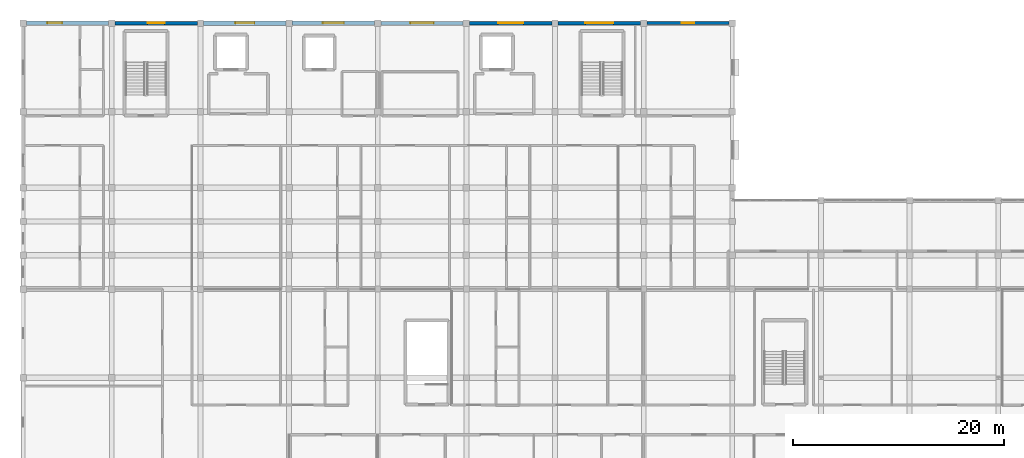
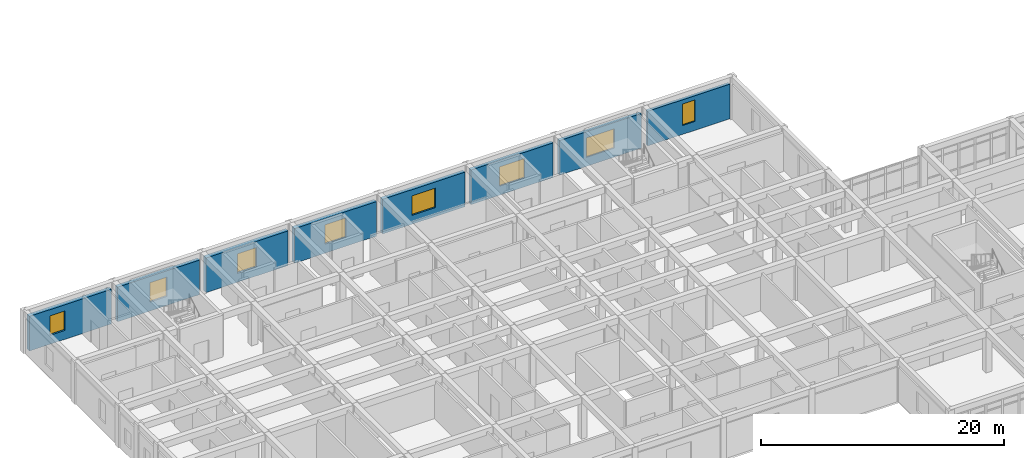
# One storey, part 61 of 77: 8 walls, 8 windows, 8 openings.
"""IFC4 building model written with IfcOpenShell, lengths in metres."""

from ifc_helpers import new_model, si_unit, direction, frame, frame_2d, origin, place, context, subcontext, project, spatial, rectangle, extrude, material, layer, layer_set, type_object, element, fill, save


model = new_model("IFC4")

# Units and contexts
model_context = context("Model", 3, precision=1e-05, world=origin(), true_north=direction((0.0, 1.0)))
body_context = subcontext(model_context, "Body", "Model", "MODEL_VIEW")
ifc_project = project(units=[si_unit("LENGTHUNIT", "METRE"), si_unit("AREAUNIT", "SQUARE_METRE"), si_unit("VOLUMEUNIT", "CUBIC_METRE"), si_unit("PLANEANGLEUNIT", "RADIAN"), si_unit("MASSUNIT", "GRAM", prefix="KILO")], contexts=[model_context])

# Site, building, storey
site_placement = place(None, origin())
site = spatial("IfcSite", under=ifc_project, at=site_placement, CompositionType="ELEMENT")
building_placement = place(site_placement, origin())
building = spatial("IfcBuilding", under=site, at=building_placement, Name="Varncliffe General Hospital", CompositionType="ELEMENT")
storey_placement = place(building_placement, frame((0.0, 0.0, 16.199951171875)))
storey = spatial("IfcBuildingStorey", under=building, at=storey_placement, Name="L03", CompositionType="ELEMENT", Elevation=16.199951171875)

# Wall, opening, window
ifc_material_1 = material(Name="Precast concrete C40/50 with insulated cream lime-cement stucco", Category="concrete")
ifc_layer_1 = layer(ifc_material_1, 0.31005859375)
ifc_layer_set_1 = layer_set([ifc_layer_1], Name="Precast concrete C40/50 with insulated cream lime-cement stucco")
wall_type_1 = type_object("IfcWallType", Name="Exterior Insulated Stucco Wall EW20 (310mm)", PredefinedType="SOLIDWALL", material=ifc_layer_set_1)
wall_1_placement = place(storey_placement, frame((50.697998046875, 124.800048828125, 0.0), z_axis=(0.0, 0.0, 1.0), x_axis=(1.0, 0.0, 0.0)))
wall_1 = element("IfcWall", 1, at=wall_1_placement, inside=storey, type_object=wall_type_1, Name="L03 Exterior Stucco Wall EW20-242", PredefinedType="SOLIDWALL", context=body_context, shape_type="SweptSolid", body=[
    extrude(rectangle(XDim=7.803955078125, YDim=0.31005859375, at=frame_2d((3.90185546875, 0.0))), origin(), (0.0, 0.0, 1.0), 3.47998046875),
])
opening_1_placement = place(wall_1_placement, frame((2.576904296875, 0.0, 0.89990234375)))
opening_1 = element("IfcOpeningElement", 2, at=opening_1_placement, cuts=wall_1, Name="Opening WN30", PredefinedType="OPENING", context=body_context, shape_type="SweptSolid", body=[
    extrude(rectangle(XDim=2.64990234375, YDim=1.949951171875, at=frame_2d((1.324951171875, 0.97509765625))), frame((0.0, 0.1650390625, 0.0), z_axis=(0.0, -1.0, 0.0), x_axis=(1.0, 0.0, 0.0)), (0.0, 0.0, 1.0), 0.330078125),
])
ifc_material_2 = material(Name="Triple low-E argon insulated vision glazing", Category="glass")
window_type_1 = type_object("IfcWindowType", Name="Triple-Glazed Hospital Window WN30 (2650x1950)", PartitioningType="DOUBLE_PANEL_VERTICAL", PredefinedType="WINDOW", material=ifc_material_2)
window_1_placement = place(opening_1_placement, origin())
window_1 = element("IfcWindow", 3, at=window_1_placement, inside=storey, type_object=window_type_1, Name="L03 Hospital Window WN30-164", OverallHeight=1.949951171875, OverallWidth=2.64990234375, PartitioningType="DOUBLE_PANEL_VERTICAL", PredefinedType="WINDOW", context=body_context, shape_type="SweptSolid", body=[
    extrude(rectangle(XDim=2.64990234375, YDim=1.949951171875, at=frame_2d((1.324951171875, 0.97509765625))), frame((0.0, 0.030029296875, 0.0), z_axis=(0.0, -1.0, 0.0), x_axis=(1.0, 0.0, 0.0)), (0.0, 0.0, 1.0), 0.06005859375),
])
fill(opening_1, window_1)

ifc_layer_2 = layer(ifc_material_1, 0.3798828125)
ifc_layer_set_2 = layer_set([ifc_layer_2], Name="Precast concrete C40/50 with insulated cream lime-cement stucco")
wall_type_2 = type_object("IfcWallType", Name="Exterior Insulated Stucco Wall EW26 (380mm)", PredefinedType="SOLIDWALL", material=ifc_layer_set_2)
wall_2_placement = place(storey_placement, frame((0.298095703125, 124.800048828125, 0.0), z_axis=(0.0, 0.0, 1.0), x_axis=(1.0, 0.0, 0.0)))
wall_2 = element("IfcWall", 4, at=wall_2_placement, inside=storey, type_object=wall_type_2, Name="L03 Exterior Stucco Wall EW26-236", PredefinedType="SOLIDWALL", context=body_context, shape_type="SweptSolid", body=[
    extrude(rectangle(XDim=7.803955078125, YDim=0.3798828125, at=frame_2d((3.90185546875, 0.0))), origin(), (0.0, 0.0, 1.0), 3.47998046875),
])
opening_2_placement = place(wall_2_placement, frame((1.9912109375, 0.0, 0.89990234375)))
opening_2 = element("IfcOpeningElement", 5, at=opening_2_placement, cuts=wall_2, Name="Opening WN22", PredefinedType="OPENING", context=body_context, shape_type="SweptSolid", body=[
    extrude(rectangle(XDim=1.39990234375, YDim=1.949951171875, at=frame_2d((0.699951171875, 0.97509765625))), frame((0.0, 0.199951171875, 0.0), z_axis=(0.0, -1.0, 0.0), x_axis=(1.0, 0.0, 0.0)), (0.0, 0.0, 1.0), 0.39990234375),
])
window_type_2 = type_object("IfcWindowType", Name="Triple-Glazed Hospital Window WN22 (1400x1950)", PartitioningType="SINGLE_PANEL", PredefinedType="WINDOW", material=ifc_material_2)
window_2_placement = place(opening_2_placement, origin())
window_2 = element("IfcWindow", 6, at=window_2_placement, inside=storey, type_object=window_type_2, Name="L03 Hospital Window WN22-158", OverallHeight=1.949951171875, OverallWidth=1.39990234375, PartitioningType="SINGLE_PANEL", PredefinedType="WINDOW", context=body_context, shape_type="SweptSolid", body=[
    extrude(rectangle(XDim=1.39990234375, YDim=1.949951171875, at=frame_2d((0.699951171875, 0.97509765625))), frame((0.0, 0.030029296875, 0.0), z_axis=(0.0, -1.0, 0.0), x_axis=(1.0, 0.0, 0.0)), (0.0, 0.0, 1.0), 0.06005859375),
])
fill(opening_2, window_2)

wall_3_placement = place(storey_placement, frame((25.498046875, 124.800048828125, 0.0), z_axis=(0.0, 0.0, 1.0), x_axis=(1.0, 0.0, 0.0)))
wall_3 = element("IfcWall", 7, at=wall_3_placement, inside=storey, type_object=wall_type_2, Name="L03 Exterior Stucco Wall EW26-239", PredefinedType="SOLIDWALL", context=body_context, shape_type="SweptSolid", body=[
    extrude(rectangle(XDim=7.803955078125, YDim=0.3798828125, at=frame_2d((3.90185546875, 0.0))), origin(), (0.0, 0.0, 1.0), 3.47998046875),
])
opening_3_placement = place(wall_3_placement, frame((2.902099609375, 0.0, 0.89990234375)))
opening_3 = element("IfcOpeningElement", 8, at=opening_3_placement, cuts=wall_3, Name="Opening WN79", PredefinedType="OPENING", context=body_context, shape_type="SweptSolid", body=[
    extrude(rectangle(XDim=2.0, YDim=1.949951171875, at=frame_2d((1.0, 0.97509765625))), frame((0.0, 0.199951171875, 0.0), z_axis=(0.0, -1.0, 0.0), x_axis=(1.0, 0.0, 0.0)), (0.0, 0.0, 1.0), 0.39990234375),
])
window_type_3 = type_object("IfcWindowType", Name="Triple-Glazed Hospital Window WN79 (2000x1950)", PartitioningType="DOUBLE_PANEL_VERTICAL", PredefinedType="WINDOW", material=ifc_material_2)
window_3_placement = place(opening_3_placement, origin())
window_3 = element("IfcWindow", 9, at=window_3_placement, inside=storey, type_object=window_type_3, Name="L03 Hospital Window WN79-161", OverallHeight=1.949951171875, OverallWidth=2.0, PartitioningType="DOUBLE_PANEL_VERTICAL", PredefinedType="WINDOW", context=body_context, shape_type="SweptSolid", body=[
    extrude(rectangle(XDim=2.0, YDim=1.949951171875, at=frame_2d((1.0, 0.97509765625))), frame((0.0, 0.030029296875, 0.0), z_axis=(0.0, -1.0, 0.0), x_axis=(1.0, 0.0, 0.0)), (0.0, 0.0, 1.0), 0.06005859375),
])
fill(opening_3, window_3)

ifc_layer_3 = layer(ifc_material_1, 0.2900390625)
ifc_layer_set_3 = layer_set([ifc_layer_3], Name="Precast concrete C40/50 with insulated cream lime-cement stucco")
wall_type_3 = type_object("IfcWallType", Name="Exterior Insulated Stucco Wall EW31 (290mm)", PredefinedType="SOLIDWALL", material=ifc_layer_set_3)
wall_4_placement = place(storey_placement, frame((59.097900390625, 124.800048828125, 0.0), z_axis=(0.0, 0.0, 1.0), x_axis=(1.0, 0.0, 0.0)))
wall_4 = element("IfcWall", 10, at=wall_4_placement, inside=storey, type_object=wall_type_3, Name="L03 Exterior Stucco Wall EW31-243", PredefinedType="SOLIDWALL", context=body_context, shape_type="SweptSolid", body=[
    extrude(rectangle(XDim=7.80419921875, YDim=0.2900390625, at=frame_2d((3.902099609375, 0.0))), origin(), (0.0, 0.0, 1.0), 3.47998046875),
])
opening_4_placement = place(wall_4_placement, frame((3.302001953125, 0.0, 0.89990234375)))
opening_4 = element("IfcOpeningElement", 11, at=opening_4_placement, cuts=wall_4, Name="Opening WN36", PredefinedType="OPENING", context=body_context, shape_type="SweptSolid", body=[
    extrude(rectangle(XDim=1.199951171875, YDim=2.14990234375, at=frame_2d((0.60009765625, 1.074951171875))), frame((0.0, 0.155029296875, 0.0), z_axis=(0.0, -1.0, 0.0), x_axis=(1.0, 0.0, 0.0)), (0.0, 0.0, 1.0), 0.31005859375),
])
window_type_4 = type_object("IfcWindowType", Name="Triple-Glazed Hospital Window WN36 (1200x2150)", PartitioningType="SINGLE_PANEL", PredefinedType="WINDOW", material=ifc_material_2)
window_4_placement = place(opening_4_placement, origin())
window_4 = element("IfcWindow", 12, at=window_4_placement, inside=storey, type_object=window_type_4, Name="L03 Hospital Window WN36-165", OverallHeight=2.14990234375, OverallWidth=1.199951171875, PartitioningType="SINGLE_PANEL", PredefinedType="WINDOW", context=body_context, shape_type="SweptSolid", body=[
    extrude(rectangle(XDim=1.199951171875, YDim=2.14990234375, at=frame_2d((0.60009765625, 1.074951171875))), frame((0.0, 0.030029296875, 0.0), z_axis=(0.0, -1.0, 0.0), x_axis=(1.0, 0.0, 0.0)), (0.0, 0.0, 1.0), 0.06005859375),
])
fill(opening_4, window_4)

ifc_layer_4 = layer(ifc_material_1, 0.330078125)
ifc_layer_set_4 = layer_set([ifc_layer_4], Name="Precast concrete C40/50 with insulated cream lime-cement stucco")
wall_type_4 = type_object("IfcWallType", Name="Exterior Insulated Stucco Wall EW33 (330mm)", PredefinedType="SOLIDWALL", material=ifc_layer_set_4)
wall_5_placement = place(storey_placement, frame((42.298095703125, 124.800048828125, 0.0), z_axis=(0.0, 0.0, 1.0), x_axis=(1.0, 0.0, 0.0)))
wall_5 = element("IfcWall", 13, at=wall_5_placement, inside=storey, type_object=wall_type_4, Name="L03 Exterior Stucco Wall EW33-241", PredefinedType="SOLIDWALL", context=body_context, shape_type="SweptSolid", body=[
    extrude(rectangle(XDim=7.803955078125, YDim=0.330078125, at=frame_2d((3.90185546875, 0.0))), origin(), (0.0, 0.0, 1.0), 3.47998046875),
])
opening_5_placement = place(wall_5_placement, frame((2.701904296875, 0.0, 0.89990234375)))
opening_5 = element("IfcOpeningElement", 14, at=opening_5_placement, cuts=wall_5, Name="Opening WN16", PredefinedType="OPENING", context=body_context, shape_type="SweptSolid", body=[
    extrude(rectangle(XDim=2.39990234375, YDim=1.949951171875, at=frame_2d((1.199951171875, 0.97509765625))), frame((0.0, 0.175048828125, 0.0), z_axis=(0.0, -1.0, 0.0), x_axis=(1.0, 0.0, 0.0)), (0.0, 0.0, 1.0), 0.35009765625),
])
window_type_5 = type_object("IfcWindowType", Name="Triple-Glazed Hospital Window WN16 (2400x1950)", PartitioningType="DOUBLE_PANEL_VERTICAL", PredefinedType="WINDOW", material=ifc_material_2)
window_5_placement = place(opening_5_placement, origin())
window_5 = element("IfcWindow", 15, at=window_5_placement, inside=storey, type_object=window_type_5, Name="L03 Hospital Window WN16-163", OverallHeight=1.949951171875, OverallWidth=2.39990234375, PartitioningType="DOUBLE_PANEL_VERTICAL", PredefinedType="WINDOW", context=body_context, shape_type="SweptSolid", body=[
    extrude(rectangle(XDim=2.39990234375, YDim=1.949951171875, at=frame_2d((1.199951171875, 0.97509765625))), frame((0.0, 0.030029296875, 0.0), z_axis=(0.0, -1.0, 0.0), x_axis=(1.0, 0.0, 0.0)), (0.0, 0.0, 1.0), 0.06005859375),
])
fill(opening_5, window_5)

ifc_layer_5 = layer(ifc_material_1, 0.35009765625)
ifc_layer_set_5 = layer_set([ifc_layer_5], Name="Precast concrete C40/50 with insulated cream lime-cement stucco")
wall_type_5 = type_object("IfcWallType", Name="Exterior Insulated Stucco Wall EW37 (350mm)", PredefinedType="SOLIDWALL", material=ifc_layer_set_5)
wall_6_placement = place(storey_placement, frame((8.697998046875, 124.800048828125, 0.0), z_axis=(0.0, 0.0, 1.0), x_axis=(1.0, 0.0, 0.0)))
wall_6 = element("IfcWall", 16, at=wall_6_placement, inside=storey, type_object=wall_type_5, Name="L03 Exterior Stucco Wall EW37-237", PredefinedType="SOLIDWALL", context=body_context, shape_type="SweptSolid", body=[
    extrude(rectangle(XDim=7.803955078125, YDim=0.35009765625, at=frame_2d((3.90185546875, 0.0))), origin(), (0.0, 0.0, 1.0), 3.47998046875),
])
opening_6_placement = place(wall_6_placement, frame((3.10205078125, 0.0, 0.89990234375)))
opening_6 = element("IfcOpeningElement", 17, at=opening_6_placement, cuts=wall_6, Name="Opening WN13", PredefinedType="OPENING", context=body_context, shape_type="SweptSolid", body=[
    extrude(rectangle(XDim=1.60009765625, YDim=1.949951171875, at=frame_2d((0.800048828125, 0.97509765625))), frame((0.0, 0.18505859375, 0.0), z_axis=(0.0, -1.0, 0.0), x_axis=(1.0, 0.0, 0.0)), (0.0, 0.0, 1.0), 0.3701171875),
])
window_type_6 = type_object("IfcWindowType", Name="Triple-Glazed Hospital Window WN13 (1600x1950)", PartitioningType="DOUBLE_PANEL_VERTICAL", PredefinedType="WINDOW", material=ifc_material_2)
window_6_placement = place(opening_6_placement, origin())
window_6 = element("IfcWindow", 18, at=window_6_placement, inside=storey, type_object=window_type_6, Name="L03 Hospital Window WN13-159", OverallHeight=1.949951171875, OverallWidth=1.60009765625, PartitioningType="DOUBLE_PANEL_VERTICAL", PredefinedType="WINDOW", context=body_context, shape_type="SweptSolid", body=[
    extrude(rectangle(XDim=1.60009765625, YDim=1.949951171875, at=frame_2d((0.800048828125, 0.97509765625))), frame((0.0, 0.030029296875, 0.0), z_axis=(0.0, -1.0, 0.0), x_axis=(1.0, 0.0, 0.0)), (0.0, 0.0, 1.0), 0.06005859375),
])
fill(opening_6, window_6)

wall_7_placement = place(storey_placement, frame((33.89794921875, 124.800048828125, 0.0), z_axis=(0.0, 0.0, 1.0), x_axis=(1.0, 0.0, 0.0)))
wall_7 = element("IfcWall", 19, at=wall_7_placement, inside=storey, type_object=wall_type_5, Name="L03 Exterior Stucco Wall EW37-240", PredefinedType="SOLIDWALL", context=body_context, shape_type="SweptSolid", body=[
    extrude(rectangle(XDim=7.803955078125, YDim=0.35009765625, at=frame_2d((3.90185546875, 0.0))), origin(), (0.0, 0.0, 1.0), 3.47998046875),
])
opening_7_placement = place(wall_7_placement, frame((2.802001953125, 0.0, 0.89990234375)))
opening_7 = element("IfcOpeningElement", 20, at=opening_7_placement, cuts=wall_7, Name="Opening WN35", PredefinedType="OPENING", context=body_context, shape_type="SweptSolid", body=[
    extrude(rectangle(XDim=2.199951171875, YDim=1.949951171875, at=frame_2d((1.10009765625, 0.97509765625))), frame((0.0, 0.18505859375, 0.0), z_axis=(0.0, -1.0, 0.0), x_axis=(1.0, 0.0, 0.0)), (0.0, 0.0, 1.0), 0.3701171875),
])
window_type_7 = type_object("IfcWindowType", Name="Triple-Glazed Hospital Window WN35 (2200x1950)", PartitioningType="DOUBLE_PANEL_VERTICAL", PredefinedType="WINDOW", material=ifc_material_2)
window_7_placement = place(opening_7_placement, origin())
window_7 = element("IfcWindow", 21, at=window_7_placement, inside=storey, type_object=window_type_7, Name="L03 Hospital Window WN35-162", OverallHeight=1.949951171875, OverallWidth=2.199951171875, PartitioningType="DOUBLE_PANEL_VERTICAL", PredefinedType="WINDOW", context=body_context, shape_type="SweptSolid", body=[
    extrude(rectangle(XDim=2.199951171875, YDim=1.949951171875, at=frame_2d((1.10009765625, 0.97509765625))), frame((0.0, 0.030029296875, 0.0), z_axis=(0.0, -1.0, 0.0), x_axis=(1.0, 0.0, 0.0)), (0.0, 0.0, 1.0), 0.06005859375),
])
fill(opening_7, window_7)

ifc_layer_6 = layer(ifc_material_1, 0.39990234375)
ifc_layer_set_6 = layer_set([ifc_layer_6], Name="Precast concrete C40/50 with insulated cream lime-cement stucco")
wall_type_6 = type_object("IfcWallType", Name="Exterior Insulated Stucco Wall EW47 (400mm)", PredefinedType="SOLIDWALL", material=ifc_layer_set_6)
wall_8_placement = place(storey_placement, frame((17.097900390625, 124.800048828125, 0.0), z_axis=(0.0, 0.0, 1.0), x_axis=(1.0, 0.0, 0.0)))
wall_8 = element("IfcWall", 22, at=wall_8_placement, inside=storey, type_object=wall_type_6, Name="L03 Exterior Stucco Wall EW47-238", PredefinedType="SOLIDWALL", context=body_context, shape_type="SweptSolid", body=[
    extrude(rectangle(XDim=7.80419921875, YDim=0.39990234375, at=frame_2d((3.902099609375, 0.0))), origin(), (0.0, 0.0, 1.0), 3.47998046875),
])
opening_8_placement = place(wall_8_placement, frame((3.001953125, 0.0, 0.89990234375)))
opening_8 = element("IfcOpeningElement", 23, at=opening_8_placement, cuts=wall_8, Name="Opening WN78", PredefinedType="OPENING", context=body_context, shape_type="SweptSolid", body=[
    extrude(rectangle(XDim=1.800048828125, YDim=1.949951171875, at=frame_2d((0.89990234375, 0.97509765625))), frame((0.0, 0.2099609375, 0.0), z_axis=(0.0, -1.0, 0.0), x_axis=(1.0, 0.0, 0.0)), (0.0, 0.0, 1.0), 0.419921875),
])
window_type_8 = type_object("IfcWindowType", Name="Triple-Glazed Hospital Window WN78 (1800x1950)", PartitioningType="DOUBLE_PANEL_VERTICAL", PredefinedType="WINDOW", material=ifc_material_2)
window_8_placement = place(opening_8_placement, origin())
window_8 = element("IfcWindow", 24, at=window_8_placement, inside=storey, type_object=window_type_8, Name="L03 Hospital Window WN78-160", OverallHeight=1.949951171875, OverallWidth=1.800048828125, PartitioningType="DOUBLE_PANEL_VERTICAL", PredefinedType="WINDOW", context=body_context, shape_type="SweptSolid", body=[
    extrude(rectangle(XDim=1.800048828125, YDim=1.949951171875, at=frame_2d((0.89990234375, 0.97509765625))), frame((0.0, 0.030029296875, 0.0), z_axis=(0.0, -1.0, 0.0), x_axis=(1.0, 0.0, 0.0)), (0.0, 0.0, 1.0), 0.06005859375),
])
fill(opening_8, window_8)

save(model, "model.ifc")
